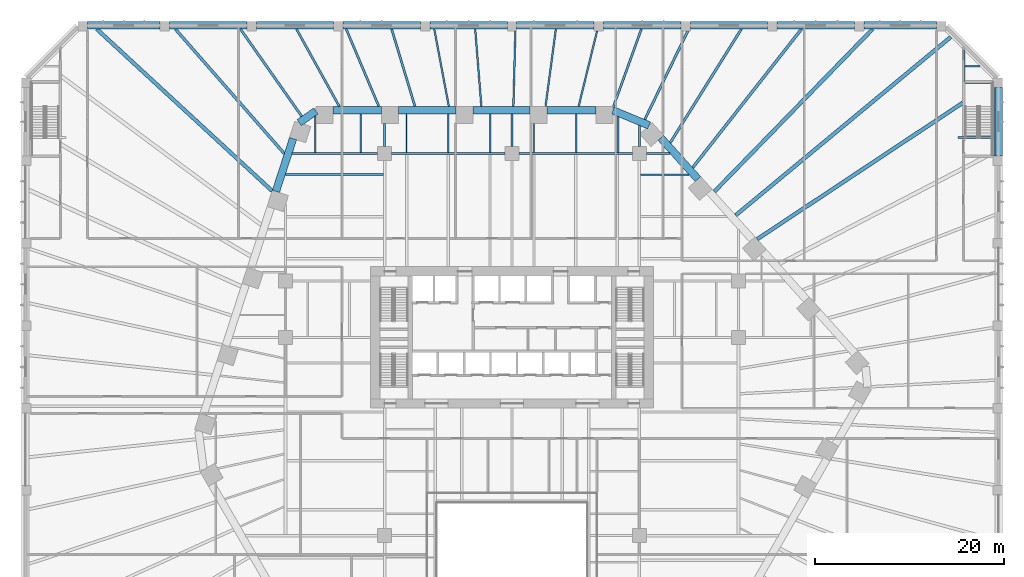
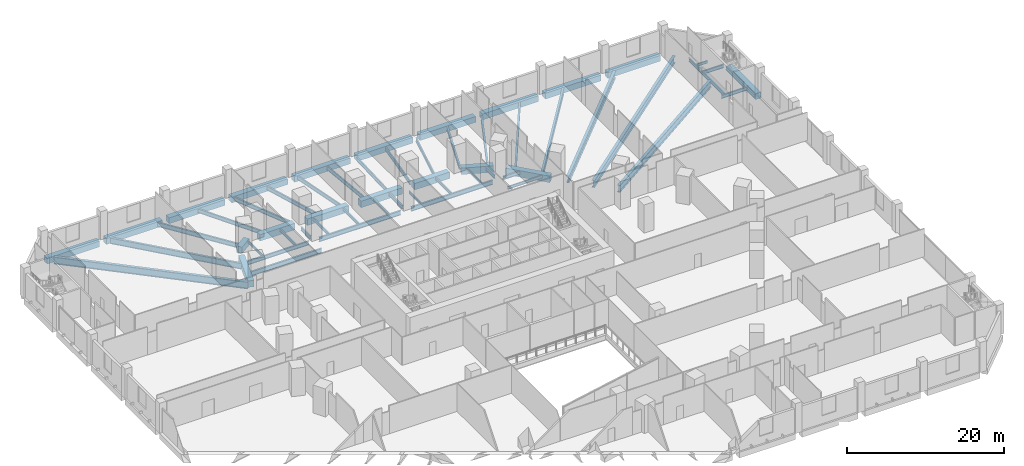
# One storey, part 12 of 33: 59 beams.
"""IFC4 building model written with IfcOpenShell, lengths in metres."""

from ifc_helpers import new_model, si_unit, direction, frame, origin, origin_2d, place, context, subcontext, project, spatial, rectangle, i_section, extrude, material, material_profile, profile_set, type_object, element, save


model = new_model("IFC4")

# Units and contexts
model_context = context("Model", 3, precision=1e-05, world=origin(), true_north=direction((0.0, 1.0)))
body_context = subcontext(model_context, "Body", "Model", "MODEL_VIEW")
ifc_project = project(units=[si_unit("LENGTHUNIT", "METRE"), si_unit("AREAUNIT", "SQUARE_METRE"), si_unit("VOLUMEUNIT", "CUBIC_METRE"), si_unit("PLANEANGLEUNIT", "RADIAN"), si_unit("MASSUNIT", "GRAM", prefix="KILO")], contexts=[model_context])

# Site, building, storey
site_placement = place(None, origin())
site = spatial("IfcSite", under=ifc_project, at=site_placement, CompositionType="ELEMENT")
building_placement = place(site_placement, origin())
building = spatial("IfcBuilding", under=site, at=building_placement, Name="Isthmus Gate Tower", CompositionType="ELEMENT")
storey_placement = place(building_placement, frame((0.0, 0.0, 31.5)))
storey = spatial("IfcBuildingStorey", under=building, at=storey_placement, Name="L05", CompositionType="ELEMENT", Elevation=31.5)

# Beams
ifc_material_1 = material(Name="Concrete f'c 70 MPa", Category="concrete")
ifc_material_profile_1 = material_profile(ifc_material_1, rectangle(XDim=0.800048828125, YDim=0.89990234375, at=origin_2d()), Name="RC 800X900")
ifc_profile_set_1 = profile_set([ifc_material_profile_1], Name="Concrete f'c 70 MPa")
beam_type_1 = type_object("IfcBeamType", Name="RC EDGE BEAM 800 X 900", PredefinedType="BEAM", material=ifc_profile_set_1)
beam_1_placement = place(storey_placement, frame((-45.0, 40.60009765625, -0.75), z_axis=(1.0, 0.0, 0.0), x_axis=(0.0, 1.0, 0.0)))
element("IfcBeam", 1, at=beam_1_placement, inside=storey, type_object=beam_type_1, Name="str-edgebeam-L05-09", PredefinedType="BEAM", context=body_context, shape_type="SweptSolid", body=[
    extrude(rectangle(XDim=0.800048828125, YDim=0.89990234375, at=origin_2d()), origin(), (0.0, 0.0, 1.0), 7.699951171875),
])
beam_2_placement = place(storey_placement, frame((-36.300048828125, 40.60009765625, -0.75), z_axis=(1.0, 0.0, 0.0), x_axis=(0.0, 1.0, 0.0)))
element("IfcBeam", 2, at=beam_2_placement, inside=storey, type_object=beam_type_1, Name="str-edgebeam-L05-10", PredefinedType="BEAM", context=body_context, shape_type="SweptSolid", body=[
    extrude(rectangle(XDim=0.800048828125, YDim=0.89990234375, at=origin_2d()), origin(), (0.0, 0.0, 1.0), 8.199951171875),
])
beam_3_placement = place(storey_placement, frame((-27.10009765625, 40.60009765625, -0.75), z_axis=(1.0, 0.0, 0.0), x_axis=(0.0, 1.0, 0.0)))
element("IfcBeam", 3, at=beam_3_placement, inside=storey, type_object=beam_type_1, Name="str-edgebeam-L05-11", PredefinedType="BEAM", context=body_context, shape_type="SweptSolid", body=[
    extrude(rectangle(XDim=0.800048828125, YDim=0.89990234375, at=origin_2d()), origin(), (0.0, 0.0, 1.0), 8.2001953125),
])
for number, where, z_axis, x_axis, name in (
    (4, (-17.89990234375, 40.60009765625, -0.75), (1.0, 0.0, 0.0), (0.0, 1.0, 0.0), "str-edgebeam-L05-12"),
    (5, (-8.699951171875, 40.60009765625, -0.75), (1.0, 0.0, 0.0), (0.0, 1.0, 0.0), "str-edgebeam-L05-13"),
    (6, (0.5, 40.60009765625, -0.75), (1.0, 0.0, 0.0), (0.0, 1.0, 0.0), "str-edgebeam-L05-14"),
    (7, (9.699951171875, 40.60009765625, -0.75), (1.0, 0.0, 0.0), (0.0, 1.0, 0.0), "str-edgebeam-L05-15"),
):
    element("IfcBeam", number, at=place(storey_placement, frame(where, z_axis=z_axis, x_axis=x_axis)), inside=storey, type_object=beam_type_1, Name=name, PredefinedType="BEAM", context=body_context, shape_type="SweptSolid", body=[
        extrude(rectangle(XDim=0.800048828125, YDim=0.89990234375, at=origin_2d()), origin(), (0.0, 0.0, 1.0), 8.199951171875),
    ])
beam_4_placement = place(storey_placement, frame((18.89990234375, 40.60009765625, -0.75), z_axis=(1.0, 0.0, 0.0), x_axis=(0.0, 1.0, 0.0)))
element("IfcBeam", 8, at=beam_4_placement, inside=storey, type_object=beam_type_1, Name="str-edgebeam-L05-16", PredefinedType="BEAM", context=body_context, shape_type="SweptSolid", body=[
    extrude(rectangle(XDim=0.800048828125, YDim=0.89990234375, at=origin_2d()), origin(), (0.0, 0.0, 1.0), 8.2001953125),
])
beam_5_placement = place(storey_placement, frame((28.10009765625, 40.60009765625, -0.75), z_axis=(1.0, 0.0, 0.0), x_axis=(0.0, 1.0, 0.0)))
element("IfcBeam", 9, at=beam_5_placement, inside=storey, type_object=beam_type_1, Name="str-edgebeam-L05-17", PredefinedType="BEAM", context=body_context, shape_type="SweptSolid", body=[
    extrude(rectangle(XDim=0.800048828125, YDim=0.89990234375, at=origin_2d()), origin(), (0.0, 0.0, 1.0), 8.199951171875),
])
beam_6_placement = place(storey_placement, frame((37.300048828125, 40.60009765625, -0.75), z_axis=(1.0, 0.0, 0.0), x_axis=(0.0, 1.0, 0.0)))
element("IfcBeam", 10, at=beam_6_placement, inside=storey, type_object=beam_type_1, Name="str-edgebeam-L05-18", PredefinedType="BEAM", context=body_context, shape_type="SweptSolid", body=[
    extrude(rectangle(XDim=0.800048828125, YDim=0.89990234375, at=origin_2d()), origin(), (0.0, 0.0, 1.0), 7.699951171875),
])
beam_7_placement = place(storey_placement, frame((51.60009765625, 34.0, -0.75), z_axis=(0.0, -1.0, 0.0), x_axis=(1.0, 0.0, 0.0)))
element("IfcBeam", 11, at=beam_7_placement, inside=storey, type_object=beam_type_1, Name="str-edgebeam-L05-20", PredefinedType="BEAM", context=body_context, shape_type="SweptSolid", body=[
    extrude(rectangle(XDim=0.800048828125, YDim=0.89990234375, at=origin_2d()), origin(), (0.0, 0.0, 1.0), 7.25),
])
ifc_material_2 = material(Name="Concrete f'c 70 MPa", Category="concrete")
ifc_material_profile_2 = material_profile(ifc_material_2, rectangle(XDim=0.800048828125, YDim=1.0, at=origin_2d()), Name="RC 800X1000")
ifc_profile_set_2 = profile_set([ifc_material_profile_2], Name="Concrete f'c 70 MPa")
beam_type_2 = type_object("IfcBeamType", Name="RC TUBE RING BEAM 800 X 1000", PredefinedType="BEAM", material=ifc_profile_set_2)
beam_8_placement = place(storey_placement, frame((10.701904296875, 31.56689453125, -0.800048828125), z_axis=(0.923334166719, -0.383997417399, 0.0), x_axis=(0.383997417399, 0.923334166719, 0.0)))
element("IfcBeam", 12, at=beam_8_placement, inside=storey, type_object=beam_type_2, Name="str-ringbeam-L05-00", PredefinedType="BEAM", context=body_context, shape_type="SweptSolid", body=[
    extrude(rectangle(XDim=0.800048828125, YDim=1.0, at=origin_2d()), origin(), (0.0, 0.0, 1.0), 4.15234375),
])
for number, where, z_axis, x_axis, name in (
    (13, (15.772216796875, 28.66357421875, -0.800048828125), (0.669141061586, -0.743135411415, 0.0), (0.743135411415, 0.669141061586, 0.0), "str-ringbeam-L05-01"),
    (14, (-25.02490234375, 22.978271484375, -0.800048828125), (0.309042953764, 0.951048081187, 0.0), (-0.951048081187, 0.309042953764, 0.0), "str-ringbeam-L05-21"),
):
    element("IfcBeam", number, at=place(storey_placement, frame(where, z_axis=z_axis, x_axis=x_axis)), inside=storey, type_object=beam_type_2, Name=name, PredefinedType="BEAM", context=body_context, shape_type="SweptSolid", body=[
        extrude(rectangle(XDim=0.800048828125, YDim=1.0, at=origin_2d()), origin(), (0.0, 0.0, 1.0), 5.889404296875),
    ])
beam_9_placement = place(storey_placement, frame((-22.553466796875, 30.260498046875, -0.800048828125), z_axis=(0.817857331203, 0.575421050882, 0.0), x_axis=(-0.575421050882, 0.817857331203, 0.0)))
element("IfcBeam", 15, at=beam_9_placement, inside=storey, type_object=beam_type_2, Name="str-ringbeam-L05-22", PredefinedType="BEAM", context=body_context, shape_type="SweptSolid", body=[
    extrude(rectangle(XDim=0.800048828125, YDim=1.0, at=origin_2d()), origin(), (0.0, 0.0, 1.0), 2.173095703125),
])
beam_10_placement = place(storey_placement, frame((-18.976318359375, 31.60009765625, -0.800048828125), z_axis=(1.0, 0.0, 0.0), x_axis=(0.0, 1.0, 0.0)))
element("IfcBeam", 16, at=beam_10_placement, inside=storey, type_object=beam_type_2, Name="str-ringbeam-L05-23", PredefinedType="BEAM", context=body_context, shape_type="SweptSolid", body=[
    extrude(rectangle(XDim=0.800048828125, YDim=1.0, at=origin_2d()), origin(), (0.0, 0.0, 1.0), 5.169677734375),
])
beam_11_placement = place(storey_placement, frame((-12.006591796875, 31.60009765625, -0.800048828125), z_axis=(1.0, 0.0, 0.0), x_axis=(0.0, 1.0, 0.0)))
element("IfcBeam", 17, at=beam_11_placement, inside=storey, type_object=beam_type_2, Name="str-ringbeam-L05-24", PredefinedType="BEAM", context=body_context, shape_type="SweptSolid", body=[
    extrude(rectangle(XDim=0.800048828125, YDim=1.0, at=origin_2d()), origin(), (0.0, 0.0, 1.0), 6.0693359375),
])
beam_12_placement = place(storey_placement, frame((-4.13720703125, 31.60009765625, -0.800048828125), z_axis=(1.0, 0.0, 0.0), x_axis=(0.0, 1.0, 0.0)))
element("IfcBeam", 18, at=beam_12_placement, inside=storey, type_object=beam_type_2, Name="str-ringbeam-L05-25", PredefinedType="BEAM", context=body_context, shape_type="SweptSolid", body=[
    extrude(rectangle(XDim=0.800048828125, YDim=1.0, at=origin_2d()), origin(), (0.0, 0.0, 1.0), 6.069580078125),
])
beam_13_placement = place(storey_placement, frame((3.732421875, 31.60009765625, -0.800048828125), z_axis=(1.0, 0.0, 0.0), x_axis=(0.0, 1.0, 0.0)))
element("IfcBeam", 19, at=beam_13_placement, inside=storey, type_object=beam_type_2, Name="str-ringbeam-L05-26", PredefinedType="BEAM", context=body_context, shape_type="SweptSolid", body=[
    extrude(rectangle(XDim=0.800048828125, YDim=1.0, at=origin_2d()), origin(), (0.0, 0.0, 1.0), 5.16943359375),
])
ifc_material_3 = material(Name="Structural steel ASTM A992 Gr 50", Category="steel")
ifc_material_profile_3 = material_profile(ifc_material_3, i_section(OverallWidth=0.1396484375, OverallDepth=0.4033203125, WebThickness=0.00634765625, FlangeThickness=0.010986328125, at=origin_2d()), Name="W16X31")
ifc_profile_set_3 = profile_set([ifc_material_profile_3], Name="Structural steel ASTM A992 Gr 50")
beam_type_3 = type_object("IfcBeamType", Name="STEEL FLOOR BEAM W16X31", PredefinedType="JOIST", material=ifc_profile_set_3)
beam_14_placement = place(storey_placement, frame((-20.846435546875, 27.1142578125, -0.501708984375), z_axis=(0.0, 1.0, 0.0), x_axis=(-1.0, 0.0, 0.0)))
element("IfcBeam", 20, at=beam_14_placement, inside=storey, type_object=beam_type_3, Name="str-beam-L05-10-00", PredefinedType="JOIST", context=body_context, shape_type="SweptSolid", body=[
    extrude(i_section(OverallWidth=0.1396484375, OverallDepth=0.4033203125, WebThickness=0.00634765625, FlangeThickness=0.010986328125, at=origin_2d()), origin(), (0.0, 0.0, 1.0), 3.858154296875),
])
beam_15_placement = place(storey_placement, frame((2.33740234375, 27.126953125, -0.501708984375), z_axis=(0.0, 1.0, 0.0), x_axis=(-1.0, 0.0, 0.0)))
element("IfcBeam", 21, at=beam_15_placement, inside=storey, type_object=beam_type_3, Name="str-beam-L05-22-00", PredefinedType="JOIST", context=body_context, shape_type="SweptSolid", body=[
    extrude(i_section(OverallWidth=0.1396484375, OverallDepth=0.4033203125, WebThickness=0.00634765625, FlangeThickness=0.010986328125, at=origin_2d()), origin(), (0.0, 0.0, 1.0), 3.072998046875),
])
beam_16_placement = place(storey_placement, frame((11.267578125, 27.126953125, -0.501708984375), z_axis=(0.0, 1.0, 0.0), x_axis=(-1.0, 0.0, 0.0)))
element("IfcBeam", 22, at=beam_16_placement, inside=storey, type_object=beam_type_3, Name="str-beam-L05-22-02", PredefinedType="JOIST", context=body_context, shape_type="SweptSolid", body=[
    extrude(i_section(OverallWidth=0.1396484375, OverallDepth=0.4033203125, WebThickness=0.00634765625, FlangeThickness=0.010986328125, at=origin_2d()), origin(), (0.0, 0.0, 1.0), 3.771484375),
])
beam_17_placement = place(storey_placement, frame((48.0, 36.25146484375, -0.501708984375), z_axis=(1.0, 0.0, 0.0), x_axis=(0.0, 1.0, 0.0)))
element("IfcBeam", 23, at=beam_17_placement, inside=storey, type_object=beam_type_3, Name="str-beam-L05-35-00", PredefinedType="JOIST", context=body_context, shape_type="SweptSolid", body=[
    extrude(i_section(OverallWidth=0.1396484375, OverallDepth=0.4033203125, WebThickness=0.00634765625, FlangeThickness=0.010986328125, at=origin_2d()), origin(), (0.0, 0.0, 1.0), 1.616943359375),
])
ifc_material_4 = material(Name="Structural steel ASTM A992 Gr 50", Category="steel")
ifc_material_profile_4 = material_profile(ifc_material_4, i_section(OverallWidth=0.15234375, OverallDepth=0.45068359375, WebThickness=0.0078125, FlangeThickness=0.010986328125, at=origin_2d()), Name="W18X35")
ifc_profile_set_4 = profile_set([ifc_material_profile_4], Name="Structural steel ASTM A992 Gr 50")
beam_type_4 = type_object("IfcBeamType", Name="STEEL FLOOR BEAM W18X35", PredefinedType="JOIST", material=ifc_profile_set_4)
beam_18_placement = place(storey_placement, frame((-16.0185546875, 27.1142578125, -0.525390625), z_axis=(0.0, 1.0, 0.0), x_axis=(-1.0, 0.0, 0.0)))
element("IfcBeam", 24, at=beam_18_placement, inside=storey, type_object=beam_type_4, Name="str-beam-L05-10-01", PredefinedType="JOIST", context=body_context, shape_type="SweptSolid", body=[
    extrude(i_section(OverallWidth=0.15234375, OverallDepth=0.45068359375, WebThickness=0.0078125, FlangeThickness=0.010986328125, at=origin_2d()), origin(), (0.0, 0.0, 1.0), 4.085693359375),
])
for number, where, z_axis, x_axis, name in (
    (25, (-11.18017578125, 27.126953125, -0.525390625), (0.0, 1.0, 0.0), (-1.0, 0.0, 0.0), "str-beam-L05-16-00"),
    (26, (-6.75, 27.126953125, -0.525390625), (0.0, 1.0, 0.0), (-1.0, 0.0, 0.0), "str-beam-L05-16-01"),
    (27, (-2.31982421875, 27.126953125, -0.525390625), (0.0, 1.0, 0.0), (-1.0, 0.0, 0.0), "str-beam-L05-16-02"),
    (28, (6.802490234375, 27.126953125, -0.525390625), (0.0, 1.0, 0.0), (-1.0, 0.0, 0.0), "str-beam-L05-22-01"),
):
    element("IfcBeam", number, at=place(storey_placement, frame(where, z_axis=z_axis, x_axis=x_axis)), inside=storey, type_object=beam_type_4, Name=name, PredefinedType="JOIST", context=body_context, shape_type="SweptSolid", body=[
        extrude(i_section(OverallWidth=0.15234375, OverallDepth=0.45068359375, WebThickness=0.0078125, FlangeThickness=0.010986328125, at=origin_2d()), origin(), (0.0, 0.0, 1.0), 4.072998046875),
    ])
beam_19_placement = place(storey_placement, frame((13.626953125, 24.76904296875, -0.525390625), z_axis=(1.0, 0.0, 0.0), x_axis=(0.0, 1.0, 0.0)))
element("IfcBeam", 29, at=beam_19_placement, inside=storey, type_object=beam_type_4, Name="str-beam-L05-29-02", PredefinedType="JOIST", context=body_context, shape_type="SweptSolid", body=[
    extrude(i_section(OverallWidth=0.15234375, OverallDepth=0.45068359375, WebThickness=0.0078125, FlangeThickness=0.010986328125, at=origin_2d()), origin(), (0.0, 0.0, 1.0), 5.11376953125),
])
ifc_material_5 = material(Name="Structural steel ASTM A992 Gr 50", Category="steel")
ifc_material_profile_5 = material_profile(ifc_material_5, i_section(OverallWidth=0.177734375, OverallDepth=0.60009765625, WebThickness=0.009521484375, FlangeThickness=0.0126953125, at=origin_2d()), Name="W24X55")
ifc_profile_set_5 = profile_set([ifc_material_profile_5], Name="Structural steel ASTM A992 Gr 50")
beam_type_5 = type_object("IfcBeamType", Name="STEEL FLOOR BEAM W24X55", PredefinedType="JOIST", material=ifc_profile_set_5)
beam_20_placement = place(storey_placement, frame((7.064697265625, 32.0, -0.60009765625), z_axis=(0.237314460197, 0.971432883416, 0.0), x_axis=(-0.971432883416, 0.237314460197, 0.0)))
element("IfcBeam", 30, at=beam_20_placement, inside=storey, type_object=beam_type_5, Name="str-beam-L05-19-14", PredefinedType="JOIST", context=body_context, shape_type="SweptSolid", body=[
    extrude(i_section(OverallWidth=0.177734375, OverallDepth=0.60009765625, WebThickness=0.009521484375, FlangeThickness=0.0126953125, at=origin_2d()), origin(), (0.0, 0.0, 1.0), 8.2353515625),
])
beam_21_placement = place(storey_placement, frame((3.55517578125, 32.0, -0.60009765625), z_axis=(0.132706866281, 0.991155329725, 0.0), x_axis=(-0.991155329725, 0.132706866281, 0.0)))
element("IfcBeam", 31, at=beam_21_placement, inside=storey, type_object=beam_type_5, Name="str-beam-L05-19-15", PredefinedType="JOIST", context=body_context, shape_type="SweptSolid", body=[
    extrude(i_section(OverallWidth=0.177734375, OverallDepth=0.60009765625, WebThickness=0.009521484375, FlangeThickness=0.0126953125, at=origin_2d()), origin(), (0.0, 0.0, 1.0), 8.273193359375),
])
beam_22_placement = place(storey_placement, frame((0.144775390625, 32.0, -0.60009765625), z_axis=(0.02660191055, 0.999646106557, 0.0), x_axis=(-0.999646106557, 0.02660191055, 0.0)))
element("IfcBeam", 32, at=beam_22_placement, inside=storey, type_object=beam_type_5, Name="str-beam-L05-19-16", PredefinedType="JOIST", context=body_context, shape_type="SweptSolid", body=[
    extrude(i_section(OverallWidth=0.177734375, OverallDepth=0.60009765625, WebThickness=0.009521484375, FlangeThickness=0.0126953125, at=origin_2d()), origin(), (0.0, 0.0, 1.0), 8.0029296875),
])
beam_23_placement = place(storey_placement, frame((-3.246337890625, 32.0, -0.60009765625), z_axis=(-0.079775891633, 0.996812824513, 0.0), x_axis=(-0.996812824513, -0.079775891633, 0.0)))
element("IfcBeam", 33, at=beam_23_placement, inside=storey, type_object=beam_type_5, Name="str-beam-L05-19-17", PredefinedType="JOIST", context=body_context, shape_type="SweptSolid", body=[
    extrude(i_section(OverallWidth=0.177734375, OverallDepth=0.60009765625, WebThickness=0.009521484375, FlangeThickness=0.0126953125, at=origin_2d()), origin(), (0.0, 0.0, 1.0), 8.22607421875),
])
beam_24_placement = place(storey_placement, frame((-6.696044921875, 32.0, -0.60009765625), z_axis=(-0.185261798366, 0.982689201155, 0.0), x_axis=(-0.982689201155, -0.185261798366, 0.0)))
element("IfcBeam", 34, at=beam_24_placement, inside=storey, type_object=beam_type_5, Name="str-beam-L05-19-18", PredefinedType="JOIST", context=body_context, shape_type="SweptSolid", body=[
    extrude(i_section(OverallWidth=0.177734375, OverallDepth=0.60009765625, WebThickness=0.009521484375, FlangeThickness=0.0126953125, at=origin_2d()), origin(), (0.0, 0.0, 1.0), 8.344482421875),
])
ifc_material_6 = material(Name="Structural steel ASTM A992 Gr 50", Category="steel")
ifc_material_profile_6 = material_profile(ifc_material_6, i_section(OverallWidth=0.228515625, OverallDepth=0.603271484375, WebThickness=0.010986328125, FlangeThickness=0.014404296875, at=origin_2d()), Name="W24X68")
ifc_profile_set_6 = profile_set([ifc_material_profile_6], Name="Structural steel ASTM A992 Gr 50")
beam_type_6 = type_object("IfcBeamType", Name="STEEL FLOOR BEAM W24X68", PredefinedType="JOIST", material=ifc_profile_set_6)
beam_25_placement = place(storey_placement, frame((10.701904296875, 31.83251953125, -0.6015625), z_axis=(0.33924717065, 0.940697271818, 0.0), x_axis=(-0.940697271818, 0.33924717065, 0.0)))
element("IfcBeam", 35, at=beam_25_placement, inside=storey, type_object=beam_type_6, Name="str-beam-L05-19-13", PredefinedType="JOIST", context=body_context, shape_type="SweptSolid", body=[
    extrude(i_section(OverallWidth=0.228515625, OverallDepth=0.603271484375, WebThickness=0.010986328125, FlangeThickness=0.014404296875, at=origin_2d()), origin(), (0.0, 0.0, 1.0), 8.89501953125),
])
beam_26_placement = place(storey_placement, frame((-10.287353515625, 32.0, -0.6015625), z_axis=(-0.288704882837, 0.95741813782, 0.0), x_axis=(-0.95741813782, -0.288704882837, 0.0)))
element("IfcBeam", 36, at=beam_26_placement, inside=storey, type_object=beam_type_6, Name="str-beam-L05-19-19", PredefinedType="JOIST", context=body_context, shape_type="SweptSolid", body=[
    extrude(i_section(OverallWidth=0.228515625, OverallDepth=0.603271484375, WebThickness=0.010986328125, FlangeThickness=0.014404296875, at=origin_2d()), origin(), (0.0, 0.0, 1.0), 8.564697265625),
])
beam_27_placement = place(storey_placement, frame((-14.1181640625, 32.0, -0.6015625), z_axis=(-0.388828211543, 0.921310274505, 0.0), x_axis=(-0.921310274505, -0.388828211543, 0.0)))
element("IfcBeam", 37, at=beam_27_placement, inside=storey, type_object=beam_type_6, Name="str-beam-L05-19-20", PredefinedType="JOIST", context=body_context, shape_type="SweptSolid", body=[
    extrude(i_section(OverallWidth=0.228515625, OverallDepth=0.603271484375, WebThickness=0.010986328125, FlangeThickness=0.014404296875, at=origin_2d()), origin(), (0.0, 0.0, 1.0), 8.900390625),
])
beam_28_placement = place(storey_placement, frame((-18.310791015625, 32.0, -0.6015625), z_axis=(-0.484559006189, 0.874758577849, 0.0), x_axis=(-0.874758577849, -0.484559006189, 0.0)))
element("IfcBeam", 38, at=beam_28_placement, inside=storey, type_object=beam_type_6, Name="str-beam-L05-19-21", PredefinedType="JOIST", context=body_context, shape_type="SweptSolid", body=[
    extrude(i_section(OverallWidth=0.228515625, OverallDepth=0.603271484375, WebThickness=0.010986328125, FlangeThickness=0.014404296875, at=origin_2d()), origin(), (0.0, 0.0, 1.0), 9.3740234375),
])
ifc_material_7 = material(Name="Structural steel ASTM A992 Gr 50", Category="steel")
ifc_material_profile_7 = material_profile(ifc_material_7, i_section(OverallWidth=0.25390625, OverallDepth=0.679443359375, WebThickness=0.010986328125, FlangeThickness=0.015869140625, at=origin_2d()), Name="W27X84")
ifc_profile_set_7 = profile_set([ifc_material_profile_7], Name="Structural steel ASTM A992 Gr 50")
beam_type_7 = type_object("IfcBeamType", Name="STEEL FLOOR BEAM W27X84", PredefinedType="JOIST", material=ifc_profile_set_7)
beam_29_placement = place(storey_placement, frame((-24.0224609375, 24.76904296875, -0.6396484375), z_axis=(1.0, 0.0, 0.0), x_axis=(0.0, 1.0, 0.0)))
element("IfcBeam", 39, at=beam_29_placement, inside=storey, type_object=beam_type_7, Name="str-beam-L05-09-02", PredefinedType="JOIST", context=body_context, shape_type="SweptSolid", body=[
    extrude(i_section(OverallWidth=0.25390625, OverallDepth=0.679443359375, WebThickness=0.010986328125, FlangeThickness=0.015869140625, at=origin_2d()), origin(), (0.0, 0.0, 1.0), 10.3955078125),
])
beam_30_placement = place(storey_placement, frame((14.074462890625, 30.59765625, -0.6396484375), z_axis=(0.437322819477, 0.899304593319, 0.0), x_axis=(-0.899304593319, 0.437322819477, 0.0)))
element("IfcBeam", 40, at=beam_30_placement, inside=storey, type_object=beam_type_7, Name="str-beam-L05-19-12", PredefinedType="JOIST", context=body_context, shape_type="SweptSolid", body=[
    extrude(i_section(OverallWidth=0.25390625, OverallDepth=0.679443359375, WebThickness=0.010986328125, FlangeThickness=0.015869140625, at=origin_2d()), origin(), (0.0, 0.0, 1.0), 10.455078125),
])
beam_31_placement = place(storey_placement, frame((-22.28564453125, 30.93798828125, -0.6396484375), z_axis=(-0.574780421983, 0.818307684496, 0.0), x_axis=(-0.818307684496, -0.574780421983, 0.0)))
element("IfcBeam", 41, at=beam_31_placement, inside=storey, type_object=beam_type_7, Name="str-beam-L05-19-22", PredefinedType="JOIST", context=body_context, shape_type="SweptSolid", body=[
    extrude(i_section(OverallWidth=0.25390625, OverallDepth=0.679443359375, WebThickness=0.010986328125, FlangeThickness=0.015869140625, at=origin_2d()), origin(), (0.0, 0.0, 1.0), 11.318359375),
])
ifc_material_8 = material(Name="Structural steel ASTM A992 Gr 50", Category="steel")
ifc_material_profile_8 = material_profile(ifc_material_8, i_section(OverallWidth=0.2666015625, OverallDepth=0.7587890625, WebThickness=0.014404296875, FlangeThickness=0.01904296875, at=origin_2d()), Name="W30X108")
ifc_profile_set_8 = profile_set([ifc_material_profile_8], Name="Structural steel ASTM A992 Gr 50")
beam_type_8 = type_object("IfcBeamType", Name="STEEL FLOOR BEAM W30X108", PredefinedType="JOIST", material=ifc_profile_set_8)
beam_32_placement = place(storey_placement, frame((16.777099609375, 28.1455078125, -0.679443359375), z_axis=(0.530414028531, 0.847738732357, 0.0), x_axis=(-0.847738732357, 0.530414028531, 0.0)))
element("IfcBeam", 42, at=beam_32_placement, inside=storey, type_object=beam_type_8, Name="str-beam-L05-19-11", PredefinedType="JOIST", context=body_context, shape_type="SweptSolid", body=[
    extrude(i_section(OverallWidth=0.2666015625, OverallDepth=0.7587890625, WebThickness=0.014404296875, FlangeThickness=0.01904296875, at=origin_2d()), origin(), (0.0, 0.0, 1.0), 14.219482421875),
])
ifc_material_9 = material(Name="Structural steel ASTM A992 Gr 50", Category="steel")
ifc_material_profile_9 = material_profile(ifc_material_9, i_section(OverallWidth=0.3046875, OverallDepth=0.901611328125, WebThickness=0.015869140625, FlangeThickness=0.0205078125, at=origin_2d()), Name="W36X135")
ifc_profile_set_9 = profile_set([ifc_material_profile_9], Name="Structural steel ASTM A992 Gr 50")
beam_type_9 = type_object("IfcBeamType", Name="STEEL FLOOR BEAM W36X135", PredefinedType="JOIST", material=ifc_profile_set_9)
beam_33_placement = place(storey_placement, frame((19.156005859375, 25.50341796875, -0.750732421875), z_axis=(0.617525476522, 0.786550879376, 0.0), x_axis=(-0.786550879376, 0.617525476522, 0.0)))
element("IfcBeam", 43, at=beam_33_placement, inside=storey, type_object=beam_type_9, Name="str-beam-L05-19-10", PredefinedType="JOIST", context=body_context, shape_type="SweptSolid", body=[
    extrude(i_section(OverallWidth=0.3046875, OverallDepth=0.901611328125, WebThickness=0.015869140625, FlangeThickness=0.0205078125, at=origin_2d()), origin(), (0.0, 0.0, 1.0), 18.684814453125),
])
beam_34_placement = place(storey_placement, frame((-24.139892578125, 26.99609375, -0.750732421875), z_axis=(-0.658515444293, 0.752567212698, 0.0), x_axis=(-0.752567212698, -0.658515444293, 0.0)))
element("IfcBeam", 44, at=beam_34_placement, inside=storey, type_object=beam_type_9, Name="str-beam-L05-19-23", PredefinedType="JOIST", context=body_context, shape_type="SweptSolid", body=[
    extrude(i_section(OverallWidth=0.3046875, OverallDepth=0.901611328125, WebThickness=0.015869140625, FlangeThickness=0.0205078125, at=origin_2d()), origin(), (0.0, 0.0, 1.0), 17.545166015625),
])
ifc_material_10 = material(Name="Structural steel ASTM A992 Gr 50", Category="steel")
ifc_material_profile_10 = material_profile(ifc_material_10, i_section(OverallWidth=0.39990234375, OverallDepth=1.089111328125, WebThickness=0.017578125, FlangeThickness=0.03173828125, at=origin_2d()), Name="W44X230")
ifc_profile_set_10 = profile_set([ifc_material_profile_10], Name="Structural steel ASTM A992 Gr 50")
beam_type_10 = type_object("IfcBeamType", Name="STEEL FLOOR BEAM W44X230", PredefinedType="JOIST", material=ifc_profile_set_10)
beam_35_placement = place(storey_placement, frame((25.988037109375, 17.91552734375, -0.844482421875), z_axis=(0.833311448453, 0.552803789674, 0.0), x_axis=(-0.552803789674, 0.833311448453, 0.0)))
element("IfcBeam", 45, at=beam_35_placement, inside=storey, type_object=beam_type_10, Name="str-beam-L05-19-07", PredefinedType="JOIST", context=body_context, shape_type="SweptSolid", body=[
    extrude(i_section(OverallWidth=0.39990234375, OverallDepth=1.089111328125, WebThickness=0.017578125, FlangeThickness=0.03173828125, at=origin_2d()), origin(), (0.0, 0.0, 1.0), 26.16357421875),
])
beam_36_placement = place(storey_placement, frame((23.7080078125, 20.44775390625, -0.844482421875), z_axis=(0.769837363843, 0.638240106254, 0.0), x_axis=(-0.638240106254, 0.769837363843, 0.0)))
element("IfcBeam", 46, at=beam_36_placement, inside=storey, type_object=beam_type_10, Name="str-beam-L05-19-08", PredefinedType="JOIST", context=body_context, shape_type="SweptSolid", body=[
    extrude(i_section(OverallWidth=0.39990234375, OverallDepth=1.089111328125, WebThickness=0.017578125, FlangeThickness=0.03173828125, at=origin_2d()), origin(), (0.0, 0.0, 1.0), 29.6240234375),
])
beam_37_placement = place(storey_placement, frame((21.447998046875, 22.957763671875, -0.844482421875), z_axis=(0.697629839034, 0.716458378198, 0.0), x_axis=(-0.716458378198, 0.697629839034, 0.0)))
element("IfcBeam", 47, at=beam_37_placement, inside=storey, type_object=beam_type_10, Name="str-beam-L05-19-09", PredefinedType="JOIST", context=body_context, shape_type="SweptSolid", body=[
    extrude(i_section(OverallWidth=0.39990234375, OverallDepth=1.089111328125, WebThickness=0.017578125, FlangeThickness=0.03173828125, at=origin_2d()), origin(), (0.0, 0.0, 1.0), 24.06591796875),
])
beam_38_placement = place(storey_placement, frame((-25.427001953125, 23.035400390625, -0.844482421875), z_axis=(-0.73477311277, 0.678312960771, 0.0), x_axis=(-0.678312960771, -0.73477311277, 0.0)))
element("IfcBeam", 48, at=beam_38_placement, inside=storey, type_object=beam_type_10, Name="str-beam-L05-19-24", PredefinedType="JOIST", context=body_context, shape_type="SweptSolid", body=[
    extrude(i_section(OverallWidth=0.39990234375, OverallDepth=1.089111328125, WebThickness=0.017578125, FlangeThickness=0.03173828125, at=origin_2d()), origin(), (0.0, 0.0, 1.0), 25.3046875),
])
ifc_material_11 = material(Name="Structural steel ASTM A992 Gr 50", Category="steel")
ifc_material_profile_11 = material_profile(ifc_material_11, i_section(OverallWidth=0.20947265625, OverallDepth=0.533447265625, WebThickness=0.009521484375, FlangeThickness=0.015869140625, at=origin_2d()), Name="W21X62")
ifc_profile_set_11 = profile_set([ifc_material_profile_11], Name="Structural steel ASTM A992 Gr 50")
beam_type_11 = type_object("IfcBeamType", Name="STEEL GIRDER W21X62", PredefinedType="BEAM", material=ifc_profile_set_11)
beam_39_placement = place(storey_placement, frame((14.25, 27.0, -0.566650390625), z_axis=(1.0, 0.0, 0.0), x_axis=(0.0, 1.0, 0.0)))
element("IfcBeam", 49, at=beam_39_placement, inside=storey, type_object=beam_type_11, Name="str-girder-L05-19", PredefinedType="BEAM", context=body_context, shape_type="SweptSolid", body=[
    extrude(i_section(OverallWidth=0.20947265625, OverallDepth=0.533447265625, WebThickness=0.009521484375, FlangeThickness=0.015869140625, at=origin_2d()), origin(), (0.0, 0.0, 1.0), 2.48193359375),
])
beam_40_placement = place(storey_placement, frame((-13.5, 27.75, -0.566650390625), z_axis=(0.0, 1.0, 0.0), x_axis=(-1.0, 0.0, 0.0)))
element("IfcBeam", 50, at=beam_40_placement, inside=storey, type_object=beam_type_11, Name="str-girder-L05-27", PredefinedType="BEAM", context=body_context, shape_type="SweptSolid", body=[
    extrude(i_section(OverallWidth=0.20947265625, OverallDepth=0.533447265625, WebThickness=0.009521484375, FlangeThickness=0.015869140625, at=origin_2d()), origin(), (0.0, 0.0, 1.0), 2.449951171875),
])
beam_41_placement = place(storey_placement, frame((0.0, 27.75, -0.566650390625), z_axis=(0.0, 1.0, 0.0), x_axis=(-1.0, 0.0, 0.0)))
element("IfcBeam", 51, at=beam_41_placement, inside=storey, type_object=beam_type_11, Name="str-girder-L05-30", PredefinedType="BEAM", context=body_context, shape_type="SweptSolid", body=[
    extrude(i_section(OverallWidth=0.20947265625, OverallDepth=0.533447265625, WebThickness=0.009521484375, FlangeThickness=0.015869140625, at=origin_2d()), origin(), (0.0, 0.0, 1.0), 3.449951171875),
])
beam_42_placement = place(storey_placement, frame((13.5, 27.75, -0.566650390625), z_axis=(0.0, 1.0, 0.0), x_axis=(-1.0, 0.0, 0.0)))
element("IfcBeam", 52, at=beam_42_placement, inside=storey, type_object=beam_type_11, Name="str-girder-L05-34", PredefinedType="BEAM", context=body_context, shape_type="SweptSolid", body=[
    extrude(i_section(OverallWidth=0.20947265625, OverallDepth=0.533447265625, WebThickness=0.009521484375, FlangeThickness=0.015869140625, at=origin_2d()), origin(), (0.0, 0.0, 1.0), 2.219970703125),
])
ifc_material_12 = material(Name="Structural steel ASTM A992 Gr 50", Category="steel")
ifc_material_profile_12 = material_profile(ifc_material_12, i_section(OverallWidth=0.228515625, OverallDepth=0.6064453125, WebThickness=0.010986328125, FlangeThickness=0.017578125, at=origin_2d()), Name="W24X76")
ifc_profile_set_12 = profile_set([ifc_material_profile_12], Name="Structural steel ASTM A992 Gr 50")
beam_type_12 = type_object("IfcBeamType", Name="STEEL GIRDER W24X76", PredefinedType="BEAM", material=ifc_profile_set_12)
beam_43_placement = place(storey_placement, frame((-23.297607421875, 27.0, -0.603271484375), z_axis=(1.0, 0.0, 0.0), x_axis=(0.0, 1.0, 0.0)))
element("IfcBeam", 53, at=beam_43_placement, inside=storey, type_object=beam_type_12, Name="str-girder-L05-16", PredefinedType="BEAM", context=body_context, shape_type="SweptSolid", body=[
    extrude(i_section(OverallWidth=0.228515625, OverallDepth=0.6064453125, WebThickness=0.010986328125, FlangeThickness=0.017578125, at=origin_2d()), origin(), (0.0, 0.0, 1.0), 9.047607421875),
])
ifc_material_13 = material(Name="Structural steel ASTM A992 Gr 50", Category="steel")
ifc_material_profile_13 = material_profile(ifc_material_13, i_section(OverallWidth=0.25390625, OverallDepth=0.679443359375, WebThickness=0.010986328125, FlangeThickness=0.015869140625, at=origin_2d()), Name="W27X84")
ifc_profile_set_13 = profile_set([ifc_material_profile_13], Name="Structural steel ASTM A992 Gr 50")
beam_type_13 = type_object("IfcBeamType", Name="STEEL GIRDER W27X84", PredefinedType="BEAM", material=ifc_profile_set_13)
for number, where, z_axis, x_axis, name in (
    (54, (-12.75, 27.0, -0.6396484375), (1.0, 0.0, 0.0), (0.0, 1.0, 0.0), "str-girder-L05-17"),
    (55, (0.75, 27.0, -0.6396484375), (1.0, 0.0, 0.0), (0.0, 1.0, 0.0), "str-girder-L05-18"),
):
    element("IfcBeam", number, at=place(storey_placement, frame(where, z_axis=z_axis, x_axis=x_axis)), inside=storey, type_object=beam_type_13, Name=name, PredefinedType="BEAM", context=body_context, shape_type="SweptSolid", body=[
        extrude(i_section(OverallWidth=0.25390625, OverallDepth=0.679443359375, WebThickness=0.010986328125, FlangeThickness=0.015869140625, at=origin_2d()), origin(), (0.0, 0.0, 1.0), 12.0),
    ])
ifc_material_14 = material(Name="Structural steel ASTM A992 Gr 50", Category="steel")
ifc_material_profile_14 = material_profile(ifc_material_14, i_section(OverallWidth=0.20947265625, OverallDepth=0.533447265625, WebThickness=0.009521484375, FlangeThickness=0.015869140625, at=origin_2d()), Name="W21X62")
ifc_profile_set_14 = profile_set([ifc_material_profile_14], Name="Structural steel ASTM A992 Gr 50")
beam_type_14 = type_object("IfcBeamType", Name="STEEL TRIMMER W21X62", PredefinedType="BEAM", material=ifc_profile_set_14)
beam_44_placement = place(storey_placement, frame((51.0546875, 26.75, -0.566650390625), z_axis=(0.0, 1.0, 0.0), x_axis=(-1.0, 0.0, 0.0)))
element("IfcBeam", 56, at=beam_44_placement, inside=storey, type_object=beam_type_14, Name="str-trimmer-L05-07", PredefinedType="BEAM", context=body_context, shape_type="SweptSolid", body=[
    extrude(i_section(OverallWidth=0.20947265625, OverallDepth=0.533447265625, WebThickness=0.009521484375, FlangeThickness=0.015869140625, at=origin_2d()), origin(), (0.0, 0.0, 1.0), 7.25),
])
beam_45_placement = place(storey_placement, frame((47.895263671875, 37.973388671875, -0.566650390625), z_axis=(0.0, -1.0, 0.0), x_axis=(1.0, 0.0, 0.0)))
element("IfcBeam", 57, at=beam_45_placement, inside=storey, type_object=beam_type_14, Name="str-trimmer-L05-08", PredefinedType="BEAM", context=body_context, shape_type="SweptSolid", body=[
    extrude(i_section(OverallWidth=0.20947265625, OverallDepth=0.533447265625, WebThickness=0.009521484375, FlangeThickness=0.015869140625, at=origin_2d()), origin(), (0.0, 0.0, 1.0), 9.1484375),
])
beam_46_placement = place(storey_placement, frame((51.0, 34.52978515625, -0.566650390625), z_axis=(-1.0, 0.0, 0.0), x_axis=(0.0, -1.0, 0.0)))
element("IfcBeam", 58, at=beam_46_placement, inside=storey, type_object=beam_type_14, Name="str-trimmer-L05-17", PredefinedType="BEAM", context=body_context, shape_type="SweptSolid", body=[
    extrude(i_section(OverallWidth=0.20947265625, OverallDepth=0.533447265625, WebThickness=0.009521484375, FlangeThickness=0.015869140625, at=origin_2d()), origin(), (0.0, 0.0, 1.0), 3.0),
])
beam_47_placement = place(storey_placement, frame((47.300048828125, 28.72021484375, -0.566650390625), z_axis=(1.0, 0.0, 0.0), x_axis=(0.0, 1.0, 0.0)))
element("IfcBeam", 59, at=beam_47_placement, inside=storey, type_object=beam_type_14, Name="str-trimmer-L05-18", PredefinedType="BEAM", context=body_context, shape_type="SweptSolid", body=[
    extrude(i_section(OverallWidth=0.20947265625, OverallDepth=0.533447265625, WebThickness=0.009521484375, FlangeThickness=0.015869140625, at=origin_2d()), origin(), (0.0, 0.0, 1.0), 3.64990234375),
])

save(model, "model.ifc")
